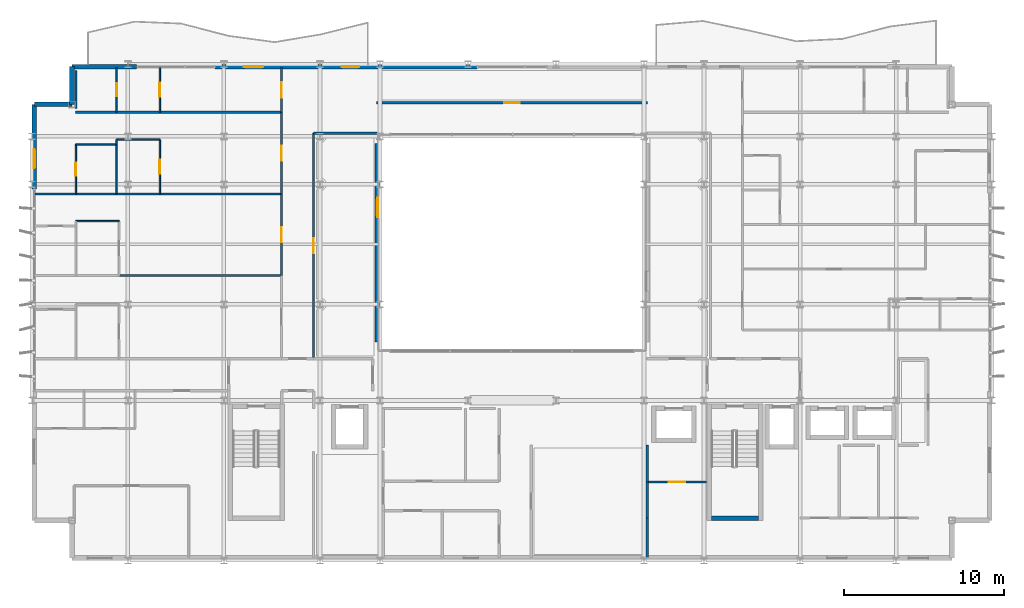
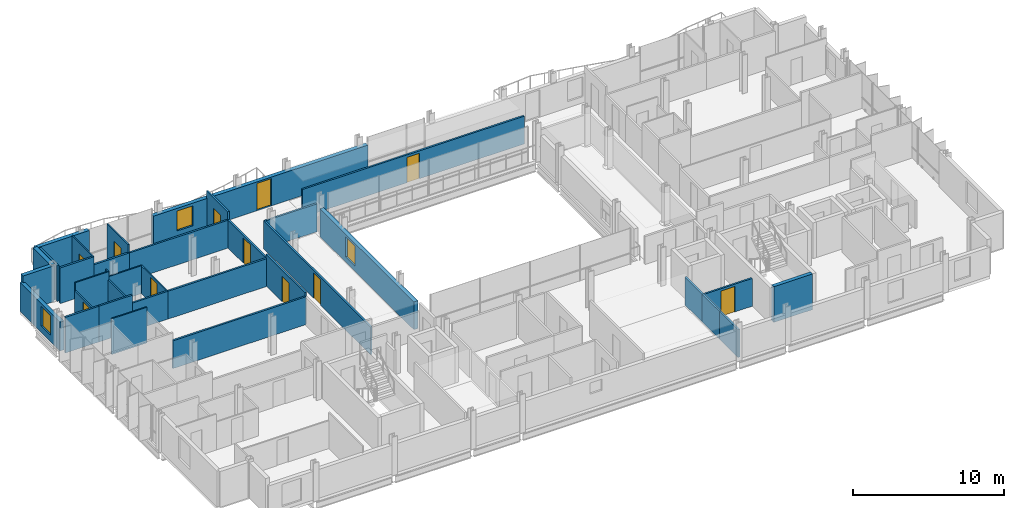
# One storey, part 31 of 40: 35 walls, 11 doors, 3 windows, 14 openings.
"""IFC4 building model written with IfcOpenShell, lengths in metres."""

from ifc_helpers import new_model, si_unit, direction, frame, frame_2d, origin, place, context, subcontext, project, spatial, rectangle, extrude, material, layer, layer_set, type_object, element, fill, save


model = new_model("IFC4")

# Units and contexts
model_context = context("Model", 3, precision=1e-05, world=origin(), true_north=direction((0.0, 1.0)))
body_context = subcontext(model_context, "Body", "Model", "MODEL_VIEW")
ifc_project = project(units=[si_unit("LENGTHUNIT", "METRE"), si_unit("AREAUNIT", "SQUARE_METRE"), si_unit("VOLUMEUNIT", "CUBIC_METRE"), si_unit("PLANEANGLEUNIT", "RADIAN"), si_unit("MASSUNIT", "GRAM", prefix="KILO")], contexts=[model_context])

# Site, building, storey
site_placement = place(None, origin())
site = spatial("IfcSite", under=ifc_project, at=site_placement, CompositionType="ELEMENT")
building_placement = place(site_placement, origin())
building = spatial("IfcBuilding", under=site, at=building_placement, Name="Brevholm Reach", CompositionType="ELEMENT")
storey_placement = place(building_placement, frame((0.0, 0.0, 148.0)))
storey = spatial("IfcBuildingStorey", under=building, at=storey_placement, Name="L44", CompositionType="ELEMENT", Elevation=148.0)

# Walls
ifc_material_1 = material(Name="Concrete C50/60", Category="concrete")
ifc_layer_1 = layer(ifc_material_1, 0.280029296875)
ifc_layer_set_1 = layer_set([ifc_layer_1], Name="Concrete C50/60")
wall_type_1 = type_object("IfcWallType", Name="WAL-COR-280", PredefinedType="SHEAR", material=ifc_layer_set_1)
wall_1_placement = place(storey_placement, frame((42.449951171875, 2.639892578125, 0.0), z_axis=(0.0, 0.0, 1.0), x_axis=(1.0, 0.0, 0.0)))
element("IfcWall", 1, at=wall_1_placement, inside=storey, type_object=wall_type_1, Name="L44 Escape Stair ST-2 Core Wall S", PredefinedType="SHEAR", context=body_context, shape_type="SweptSolid", body=[
    extrude(rectangle(XDim=2.949951171875, YDim=0.280029296875, at=frame_2d((1.47509765625, 0.0))), origin(), (0.0, 0.0, 1.0), 2.8798828125),
])
ifc_material_2 = material(Name="Concrete C40/50", Category="concrete")
ifc_layer_2 = layer(ifc_material_2, 0.300048828125)
ifc_layer_set_2 = layer_set([ifc_layer_2], Name="Concrete C40/50")
wall_type_2 = type_object("IfcWallType", Name="WAL-EXT-300", PredefinedType="STANDARD", material=ifc_layer_set_2)
for number, where, z_axis, x_axis, name in (
    (2, (2.5, 30.85009765625, 0.0), (0.0, 0.0, 1.0), (0.0, -1.0, 0.0), "L44 Facade Wall WAL-L44-CNW1"),
    (3, (2.5, 28.5, 0.0), (0.0, 0.0, 1.0), (-1.0, 0.0, 0.0), "L44 Facade Wall WAL-L44-CNW2"),
):
    element("IfcWall", number, at=place(storey_placement, frame(where, z_axis=z_axis, x_axis=x_axis)), inside=storey, type_object=wall_type_2, Name=name, PredefinedType="STANDARD", context=body_context, shape_type="SweptSolid", body=[
        extrude(rectangle(XDim=2.35009765625, YDim=0.300048828125, at=frame_2d((1.175048828125, 0.0))), origin(), (0.0, 0.0, 1.0), 2.8798828125),
    ])

# Wall, opening, window
wall_2_placement = place(storey_placement, frame((0.14990234375, 28.5, 0.0), z_axis=(0.0, 0.0, 1.0), x_axis=(0.0, -1.0, 0.0)))
wall_2 = element("IfcWall", 4, at=wall_2_placement, inside=storey, type_object=wall_type_2, Name="L44 Facade Wall WAL-L44-W-N", PredefinedType="STANDARD", context=body_context, shape_type="SweptSolid", body=[
    extrude(rectangle(XDim=5.280029296875, YDim=0.300048828125, at=frame_2d((2.64013671875, 0.0))), origin(), (0.0, 0.0, 1.0), 2.322021484375),
])
opening_1_placement = place(wall_2_placement, frame((2.800048828125, 0.0, 0.501953125)))
opening_1 = element("IfcOpeningElement", 5, at=opening_1_placement, cuts=wall_2, Name="Opening WN-08", PredefinedType="OPENING", context=body_context, shape_type="SweptSolid", body=[
    extrude(rectangle(XDim=1.199951171875, YDim=1.60009765625, at=frame_2d((0.60009765625, 0.800048828125))), frame((0.0, 0.159912109375, 0.0), z_axis=(0.0, -1.0, 0.0), x_axis=(1.0, 0.0, 0.0)), (0.0, 0.0, 1.0), 0.320068359375),
])
ifc_material_3 = material(Name="Dark Anodised Aluminium and Solar-Control IGU Glass", Category="aluminium")
window_type = type_object("IfcWindowType", Name="WIN-RES-1200", PartitioningType="SINGLE_PANEL", PredefinedType="WINDOW", material=ifc_material_3)
window_1_placement = place(opening_1_placement, origin())
window_1 = element("IfcWindow", 6, at=window_1_placement, inside=storey, type_object=window_type, Name="L44 Window WIN-L44-WN-1", OverallHeight=1.60009765625, OverallWidth=1.199951171875, PartitioningType="SINGLE_PANEL", PredefinedType="WINDOW", context=body_context, shape_type="SweptSolid", body=[
    extrude(rectangle(XDim=1.199951171875, YDim=1.60009765625, at=frame_2d((0.60009765625, 0.800048828125))), frame((0.0, 0.030029296875, 0.0), z_axis=(0.0, -1.0, 0.0), x_axis=(1.0, 0.0, 0.0)), (0.0, 0.0, 1.0), 0.06005859375),
])
fill(opening_1, window_1)

# Wall
wall_3_placement = place(storey_placement, frame((2.5, 30.85009765625, 0.0), z_axis=(0.0, 0.0, 1.0), x_axis=(1.0, 0.0, 0.0)))
element("IfcWall", 7, at=wall_3_placement, inside=storey, type_object=wall_type_2, Name="L44 Facade Wall WAL-L44-NP-W0", PredefinedType="STANDARD", context=body_context, shape_type="SweptSolid", body=[
    extrude(rectangle(XDim=4.050048828125, YDim=0.300048828125, at=frame_2d((2.02490234375, 0.0))), origin(), (0.0, 0.0, 1.0), 2.8798828125),
])

# Wall, openings, door, window
wall_4_placement = place(storey_placement, frame((11.449951171875, 30.85009765625, 0.0), z_axis=(0.0, 0.0, 1.0), x_axis=(1.0, 0.0, 0.0)))
wall_4 = element("IfcWall", 8, at=wall_4_placement, inside=storey, type_object=wall_type_2, Name="L44 Facade Wall WAL-L44-NP-WL", PredefinedType="STANDARD", context=body_context, shape_type="SweptSolid", body=[
    extrude(rectangle(XDim=16.35009765625, YDim=0.300048828125, at=frame_2d((8.175048828125, 0.0))), origin(), (0.0, 0.0, 1.0), 2.322021484375),
])
opening_2_placement = place(wall_4_placement, frame((7.89794921875, 0.0, 0.0)))
opening_2 = element("IfcOpeningElement", 9, at=opening_2_placement, cuts=wall_4, Name="Opening BD-01", PredefinedType="OPENING", context=body_context, shape_type="SweptSolid", body=[
    extrude(rectangle(XDim=1.10009765625, YDim=2.199951171875, at=frame_2d((0.550048828125, 1.10009765625))), frame((0.0, 0.159912109375, 0.0), z_axis=(0.0, -1.0, 0.0), x_axis=(1.0, 0.0, 0.0)), (0.0, 0.0, 1.0), 0.320068359375),
])
opening_3_placement = place(wall_4_placement, frame((1.800048828125, 0.0, 0.501953125)))
opening_3 = element("IfcOpeningElement", 10, at=opening_3_placement, cuts=wall_4, Name="Opening WN-08", PredefinedType="OPENING", context=body_context, shape_type="SweptSolid", body=[
    extrude(rectangle(XDim=1.199951171875, YDim=1.60009765625, at=frame_2d((0.60009765625, 0.800048828125))), frame((0.0, 0.159912109375, 0.0), z_axis=(0.0, -1.0, 0.0), x_axis=(1.0, 0.0, 0.0)), (0.0, 0.0, 1.0), 0.320068359375),
])
ifc_material_4 = material(Name="Dark Anodised Aluminium and Triple-Glazed Glass", Category="aluminium")
door_type_1 = type_object("IfcDoorType", Name="DOR-BALC-1100", OperationType="NOTDEFINED", PredefinedType="DOOR", material=ifc_material_4)
door_1_placement = place(opening_2_placement, origin())
door_1 = element("IfcDoor", 11, at=door_1_placement, inside=storey, type_object=door_type_1, Name="L44 Exterior Door DOR-L44-BL-NW", OperationType="SINGLE_SWING_LEFT", OverallHeight=2.199951171875, OverallWidth=1.10009765625, PredefinedType="DOOR", context=body_context, shape_type="SweptSolid", body=[
    extrude(rectangle(XDim=1.10009765625, YDim=2.199951171875, at=frame_2d((0.550048828125, 1.10009765625))), frame((0.0, 0.02490234375, 0.0), z_axis=(0.0, -1.0, 0.0), x_axis=(1.0, 0.0, 0.0)), (0.0, 0.0, 1.0), 0.050048828125),
])
fill(opening_2, door_1)
window_2_placement = place(opening_3_placement, origin())
window_2 = element("IfcWindow", 12, at=window_2_placement, inside=storey, type_object=window_type, Name="L44 Window WIN-L44-NP-WL1", OverallHeight=1.60009765625, OverallWidth=1.199951171875, PartitioningType="SINGLE_PANEL", PredefinedType="WINDOW", context=body_context, shape_type="SweptSolid", body=[
    extrude(rectangle(XDim=1.199951171875, YDim=1.60009765625, at=frame_2d((0.60009765625, 0.800048828125))), frame((0.0, 0.030029296875, 0.0), z_axis=(0.0, -1.0, 0.0), x_axis=(1.0, 0.0, 0.0)), (0.0, 0.0, 1.0), 0.06005859375),
])
fill(opening_3, window_2)

# Wall, opening, window
wall_5_placement = place(storey_placement, frame((21.60009765625, 26.050048828125, 0.0), z_axis=(0.0, 0.0, 1.0), x_axis=(0.0, -1.0, 0.0)))
wall_5 = element("IfcWall", 13, at=wall_5_placement, inside=storey, type_object=wall_type_2, Name="L44 Facade Wall WAL-L44-AT-W", PredefinedType="STANDARD", context=body_context, shape_type="SweptSolid", body=[
    extrude(rectangle(XDim=12.400146484375, YDim=0.300048828125, at=frame_2d((6.2001953125, 0.0))), origin(), (0.0, 0.0, 1.0), 2.242919921875),
])
opening_4_placement = place(wall_5_placement, frame((3.39990234375, 0.0, 0.423095703125)))
opening_4 = element("IfcOpeningElement", 14, at=opening_4_placement, cuts=wall_5, Name="Opening WN-08", PredefinedType="OPENING", context=body_context, shape_type="SweptSolid", body=[
    extrude(rectangle(XDim=1.199951171875, YDim=1.60009765625, at=frame_2d((0.60009765625, 0.800048828125))), frame((0.0, 0.159912109375, 0.0), z_axis=(0.0, -1.0, 0.0), x_axis=(1.0, 0.0, 0.0)), (0.0, 0.0, 1.0), 0.320068359375),
])
window_3_placement = place(opening_4_placement, origin())
window_3 = element("IfcWindow", 15, at=window_3_placement, inside=storey, type_object=window_type, Name="L44 Window WIN-L44-AT-W1", OverallHeight=1.60009765625, OverallWidth=1.199951171875, PartitioningType="SINGLE_PANEL", PredefinedType="WINDOW", context=body_context, shape_type="SweptSolid", body=[
    extrude(rectangle(XDim=1.199951171875, YDim=1.60009765625, at=frame_2d((0.60009765625, 0.800048828125))), frame((0.0, 0.030029296875, 0.0), z_axis=(0.0, -1.0, 0.0), x_axis=(1.0, 0.0, 0.0)), (0.0, 0.0, 1.0), 0.06005859375),
])
fill(opening_4, window_3)

# Walls
ifc_material_5 = material(Name="Moisture-Resistant Acoustic Gypsum Stud Partition 100 mm", Category="gypsum")
ifc_layer_3 = layer(ifc_material_5, 0.10009765625)
ifc_layer_set_3 = layer_set([ifc_layer_3], Name="Moisture-Resistant Acoustic Gypsum Stud Partition 100 mm")
wall_type_3 = type_object("IfcWallType", Name="WAL-PRT-100", PredefinedType="PARTITIONING", material=ifc_layer_set_3)
wall_6_placement = place(storey_placement, frame((2.75, 21.199951171875, 0.0), z_axis=(0.0, 0.0, 1.0), x_axis=(1.0, 0.0, 0.0)))
element("IfcWall", 16, at=wall_6_placement, inside=storey, type_object=wall_type_3, Name="L44 Internal Partition 083", PredefinedType="PARTITIONING", context=body_context, shape_type="SweptSolid", body=[
    extrude(rectangle(XDim=2.699951171875, YDim=0.10009765625, at=frame_2d((1.35009765625, 0.0))), origin(), (0.0, 0.0, 1.0), 2.8798828125),
])
wall_7_placement = place(storey_placement, frame((5.300048828125, 22.904052734375, 0.0), z_axis=(0.0, 0.0, 1.0), x_axis=(0.0, 1.0, 0.0)))
element("IfcWall", 17, at=wall_7_placement, inside=storey, type_object=wall_type_3, Name="L44 Internal Partition 089", PredefinedType="PARTITIONING", context=body_context, shape_type="SweptSolid", body=[
    extrude(rectangle(XDim=3.095947265625, YDim=0.10009765625, at=frame_2d((1.5478515625, 0.0))), origin(), (0.0, 0.0, 1.0), 2.242919921875),
])
wall_8_placement = place(storey_placement, frame((2.75, 26.0, 0.0), z_axis=(0.0, 0.0, 1.0), x_axis=(1.0, 0.0, 0.0)))
element("IfcWall", 18, at=wall_8_placement, inside=storey, type_object=wall_type_3, Name="L44 Internal Partition 090", PredefinedType="PARTITIONING", context=body_context, shape_type="SweptSolid", body=[
    extrude(rectangle(XDim=2.550048828125, YDim=0.10009765625, at=frame_2d((1.27490234375, 0.0))), origin(), (0.0, 0.0, 1.0), 2.8798828125),
])

# Wall, opening, door
wall_9_placement = place(storey_placement, frame((2.75, 22.904052734375, 0.0), z_axis=(0.0, 0.0, 1.0), x_axis=(0.0, 1.0, 0.0)))
wall_9 = element("IfcWall", 19, at=wall_9_placement, inside=storey, type_object=wall_type_3, Name="L44 Internal Partition 091", PredefinedType="PARTITIONING", context=body_context, shape_type="SweptSolid", body=[
    extrude(rectangle(XDim=3.095947265625, YDim=0.10009765625, at=frame_2d((1.5478515625, 0.0))), origin(), (0.0, 0.0, 1.0), 2.242919921875),
])
opening_5_placement = place(wall_9_placement, frame((1.137939453125, 0.0, 0.0)))
opening_5 = element("IfcOpeningElement", 20, at=opening_5_placement, cuts=wall_9, Name="Opening ID-03", PredefinedType="OPENING", context=body_context, shape_type="SweptSolid", body=[
    extrude(rectangle(XDim=0.820068359375, YDim=2.02001953125, at=frame_2d((0.41015625, 1.010009765625))), frame((0.0, 0.06005859375, 0.0), z_axis=(0.0, -1.0, 0.0), x_axis=(1.0, 0.0, 0.0)), (0.0, 0.0, 1.0), 0.1201171875),
])
ifc_material_6 = material(Name="Moisture-Resistant Painted Timber Internal Bathroom Door", Category="wood")
door_type_2 = type_object("IfcDoorType", Name="DOR-BATH-820", OperationType="NOTDEFINED", PredefinedType="DOOR", material=ifc_material_6)
door_2_placement = place(opening_5_placement, origin())
door_2 = element("IfcDoor", 21, at=door_2_placement, inside=storey, type_object=door_type_2, Name="L44 Internal Door 038", OperationType="SINGLE_SWING_LEFT", OverallHeight=2.02001953125, OverallWidth=0.820068359375, PredefinedType="DOOR", context=body_context, shape_type="SweptSolid", body=[
    extrude(rectangle(XDim=0.820068359375, YDim=2.02001953125, at=frame_2d((0.41015625, 1.010009765625))), frame((0.0, 0.02490234375, 0.0), z_axis=(0.0, -1.0, 0.0), x_axis=(1.0, 0.0, 0.0)), (0.0, 0.0, 1.0), 0.050048828125),
])
fill(opening_5, door_2)

wall_10_placement = place(storey_placement, frame((8.0, 22.904052734375, 0.0), z_axis=(0.0, 0.0, 1.0), x_axis=(0.0, 1.0, 0.0)))
wall_10 = element("IfcWall", 22, at=wall_10_placement, inside=storey, type_object=wall_type_3, Name="L44 Internal Partition 092", PredefinedType="PARTITIONING", context=body_context, shape_type="SweptSolid", body=[
    extrude(rectangle(XDim=3.39599609375, YDim=0.10009765625, at=frame_2d((1.697998046875, 0.0))), origin(), (0.0, 0.0, 1.0), 2.242919921875),
])
opening_6_placement = place(wall_10_placement, frame((1.258056640625, 0.0, 0.0)))
opening_6 = element("IfcOpeningElement", 23, at=opening_6_placement, cuts=wall_10, Name="Opening ID-01", PredefinedType="OPENING", context=body_context, shape_type="SweptSolid", body=[
    extrude(rectangle(XDim=0.8798828125, YDim=2.0400390625, at=frame_2d((0.43994140625, 1.02001953125))), frame((0.0, 0.06005859375, 0.0), z_axis=(0.0, -1.0, 0.0), x_axis=(1.0, 0.0, 0.0)), (0.0, 0.0, 1.0), 0.1201171875),
])
ifc_material_7 = material(Name="Lacquered Ash Solid-Core Acoustic Internal Door", Category="timber")
door_type_3 = type_object("IfcDoorType", Name="DOR-INT-880", OperationType="NOTDEFINED", PredefinedType="DOOR", material=ifc_material_7)
door_3_placement = place(opening_6_placement, origin())
door_3 = element("IfcDoor", 24, at=door_3_placement, inside=storey, type_object=door_type_3, Name="L44 Internal Door 039", OperationType="SINGLE_SWING_RIGHT", OverallHeight=2.0400390625, OverallWidth=0.8798828125, PredefinedType="DOOR", context=body_context, shape_type="SweptSolid", body=[
    extrude(rectangle(XDim=0.8798828125, YDim=2.0400390625, at=frame_2d((0.43994140625, 1.02001953125))), frame((0.0, 0.02490234375, 0.0), z_axis=(0.0, -1.0, 0.0), x_axis=(1.0, 0.0, 0.0)), (0.0, 0.0, 1.0), 0.050048828125),
])
fill(opening_6, door_3)

# Walls
wall_11_placement = place(storey_placement, frame((5.300048828125, 26.300048828125, 0.0), z_axis=(0.0, 0.0, 1.0), x_axis=(1.0, 0.0, 0.0)))
element("IfcWall", 25, at=wall_11_placement, inside=storey, type_object=wall_type_3, Name="L44 Internal Partition 093", PredefinedType="PARTITIONING", context=body_context, shape_type="SweptSolid", body=[
    extrude(rectangle(XDim=2.699951171875, YDim=0.10009765625, at=frame_2d((1.35009765625, 0.0))), origin(), (0.0, 0.0, 1.0), 2.242919921875),
])
wall_12_placement = place(storey_placement, frame((5.300048828125, 26.00390625, 0.0), z_axis=(0.0, 0.0, 1.0), x_axis=(0.0, 1.0, 0.0)))
element("IfcWall", 26, at=wall_12_placement, inside=storey, type_object=wall_type_3, Name="L44 Internal Partition 094", PredefinedType="PARTITIONING", context=body_context, shape_type="SweptSolid", body=[
    extrude(rectangle(XDim=0.296142578125, YDim=0.10009765625, at=frame_2d((0.14794921875, 0.0))), origin(), (0.0, 0.0, 1.0), 2.8798828125),
])

# Wall, opening, door
wall_13_placement = place(storey_placement, frame((5.300048828125, 28.00390625, 0.0), z_axis=(0.0, 0.0, 1.0), x_axis=(0.0, 1.0, 0.0)))
wall_13 = element("IfcWall", 27, at=wall_13_placement, inside=storey, type_object=wall_type_3, Name="L44 Internal Partition 117", PredefinedType="PARTITIONING", context=body_context, shape_type="SweptSolid", body=[
    extrude(rectangle(XDim=2.796142578125, YDim=0.10009765625, at=frame_2d((1.39794921875, 0.0))), origin(), (0.0, 0.0, 1.0), 2.8798828125),
])
opening_7_placement = place(wall_13_placement, frame((0.988037109375, 0.0, 0.0)))
opening_7 = element("IfcOpeningElement", 28, at=opening_7_placement, cuts=wall_13, Name="Opening ID-03", PredefinedType="OPENING", context=body_context, shape_type="SweptSolid", body=[
    extrude(rectangle(XDim=0.820068359375, YDim=2.02001953125, at=frame_2d((0.41015625, 1.010009765625))), frame((0.0, 0.06005859375, 0.0), z_axis=(0.0, -1.0, 0.0), x_axis=(1.0, 0.0, 0.0)), (0.0, 0.0, 1.0), 0.1201171875),
])
door_4_placement = place(opening_7_placement, origin())
door_4 = element("IfcDoor", 29, at=door_4_placement, inside=storey, type_object=door_type_2, Name="L44 Access Door 048", OperationType="SINGLE_SWING_LEFT", OverallHeight=2.02001953125, OverallWidth=0.820068359375, PredefinedType="DOOR", context=body_context, shape_type="SweptSolid", body=[
    extrude(rectangle(XDim=0.820068359375, YDim=2.02001953125, at=frame_2d((0.41015625, 1.010009765625))), frame((0.0, 0.02490234375, 0.0), z_axis=(0.0, -1.0, 0.0), x_axis=(1.0, 0.0, 0.0)), (0.0, 0.0, 1.0), 0.050048828125),
])
fill(opening_7, door_4)

wall_14_placement = place(storey_placement, frame((8.0, 28.00390625, 0.0), z_axis=(0.0, 0.0, 1.0), x_axis=(0.0, 1.0, 0.0)))
wall_14 = element("IfcWall", 30, at=wall_14_placement, inside=storey, type_object=wall_type_3, Name="L44 Internal Partition 118", PredefinedType="PARTITIONING", context=body_context, shape_type="SweptSolid", body=[
    extrude(rectangle(XDim=2.796142578125, YDim=0.10009765625, at=frame_2d((1.39794921875, 0.0))), origin(), (0.0, 0.0, 1.0), 2.8798828125),
])
opening_8_placement = place(wall_14_placement, frame((0.9580078125, 0.0, 0.0)))
opening_8 = element("IfcOpeningElement", 31, at=opening_8_placement, cuts=wall_14, Name="Opening ID-01", PredefinedType="OPENING", context=body_context, shape_type="SweptSolid", body=[
    extrude(rectangle(XDim=0.8798828125, YDim=2.0400390625, at=frame_2d((0.43994140625, 1.02001953125))), frame((0.0, 0.06005859375, 0.0), z_axis=(0.0, -1.0, 0.0), x_axis=(1.0, 0.0, 0.0)), (0.0, 0.0, 1.0), 0.1201171875),
])
door_5_placement = place(opening_8_placement, origin())
door_5 = element("IfcDoor", 32, at=door_5_placement, inside=storey, type_object=door_type_3, Name="L44 Internal Door 046", OperationType="SINGLE_SWING_LEFT", OverallHeight=2.0400390625, OverallWidth=0.8798828125, PredefinedType="DOOR", context=body_context, shape_type="SweptSolid", body=[
    extrude(rectangle(XDim=0.8798828125, YDim=2.0400390625, at=frame_2d((0.43994140625, 1.02001953125))), frame((0.0, 0.02490234375, 0.0), z_axis=(0.0, -1.0, 0.0), x_axis=(1.0, 0.0, 0.0)), (0.0, 0.0, 1.0), 0.050048828125),
])
fill(opening_8, door_5)

# Walls
ifc_material_8 = material(Name="Twin-Stud Acoustic Fire-Rated Gypsum Partition 140 mm", Category="gypsum")
ifc_layer_4 = layer(ifc_material_8, 0.139892578125)
ifc_layer_set_4 = layer_set([ifc_layer_4], Name="Twin-Stud Acoustic Fire-Rated Gypsum Partition 140 mm")
wall_type_4 = type_object("IfcWallType", Name="WAL-PRT-140", PredefinedType="PARTITIONING", material=ifc_layer_set_4)
wall_15_placement = place(storey_placement, frame((38.449951171875, 0.179931640625, 0.0), z_axis=(0.0, 0.0, 1.0), x_axis=(0.0, 1.0, 0.0)))
element("IfcWall", 33, at=wall_15_placement, inside=storey, type_object=wall_type_4, Name="L44 Internal Partition 013", PredefinedType="PARTITIONING", context=body_context, shape_type="SweptSolid", body=[
    extrude(rectangle(XDim=2.4814453125, YDim=0.139892578125, at=frame_2d((1.24072265625, 0.0))), origin(), (0.0, 0.0, 1.0), 2.242919921875),
])
wall_16_placement = place(storey_placement, frame((38.449951171875, 2.642578125, 0.0), z_axis=(0.0, 0.0, 1.0), x_axis=(0.0, 1.0, 0.0)))
element("IfcWall", 34, at=wall_16_placement, inside=storey, type_object=wall_type_4, Name="L44 Internal Partition 014", PredefinedType="PARTITIONING", context=body_context, shape_type="SweptSolid", body=[
    extrude(rectangle(XDim=2.268798828125, YDim=0.139892578125, at=frame_2d((1.13427734375, 0.0))), origin(), (0.0, 0.0, 1.0), 2.242919921875),
])
wall_17_placement = place(storey_placement, frame((38.449951171875, 4.892578125, 0.0), z_axis=(0.0, 0.0, 1.0), x_axis=(0.0, 1.0, 0.0)))
element("IfcWall", 35, at=wall_17_placement, inside=storey, type_object=wall_type_4, Name="L44 Internal Partition 015", PredefinedType="PARTITIONING", context=body_context, shape_type="SweptSolid", body=[
    extrude(rectangle(XDim=2.307373046875, YDim=0.139892578125, at=frame_2d((1.15380859375, 0.0))), origin(), (0.0, 0.0, 1.0), 2.242919921875),
])

# Wall, opening, door
wall_18_placement = place(storey_placement, frame((38.4541015625, 4.89990234375, 0.0), z_axis=(0.0, 0.0, 1.0), x_axis=(1.0, 0.0, 0.0)))
wall_18 = element("IfcWall", 36, at=wall_18_placement, inside=storey, type_object=wall_type_4, Name="L44 Internal Partition 024", PredefinedType="PARTITIONING", context=body_context, shape_type="SweptSolid", body=[
    extrude(rectangle(XDim=3.705810546875, YDim=0.139892578125, at=frame_2d((1.85302734375, 0.0))), origin(), (0.0, 0.0, 1.0), 2.242919921875),
])
opening_9_placement = place(wall_18_placement, frame((1.327880859375, 0.0, 0.0)))
opening_9 = element("IfcOpeningElement", 37, at=opening_9_placement, cuts=wall_18, Name="Opening FD-01", PredefinedType="OPENING", context=body_context, shape_type="SweptSolid", body=[
    extrude(rectangle(XDim=1.050048828125, YDim=2.06005859375, at=frame_2d((0.52490234375, 1.030029296875))), frame((0.0, 0.079833984375, 0.0), z_axis=(0.0, -1.0, 0.0), x_axis=(1.0, 0.0, 0.0)), (0.0, 0.0, 1.0), 0.159912109375),
])
ifc_material_9 = material(Name="Hardwood-Lipped Steel-Core Fire and Smoke Door", Category="steel")
door_type_4 = type_object("IfcDoorType", Name="DOR-INT-FD60S", OperationType="NOTDEFINED", PredefinedType="DOOR", material=ifc_material_9)
door_6_placement = place(opening_9_placement, origin())
door_6 = element("IfcDoor", 38, at=door_6_placement, inside=storey, type_object=door_type_4, Name="L44 Internal Door 012", OperationType="SINGLE_SWING_LEFT", OverallHeight=2.06005859375, OverallWidth=1.050048828125, PredefinedType="DOOR", context=body_context, shape_type="SweptSolid", body=[
    extrude(rectangle(XDim=1.050048828125, YDim=2.06005859375, at=frame_2d((0.52490234375, 1.030029296875))), frame((0.0, 0.02490234375, 0.0), z_axis=(0.0, -1.0, 0.0), x_axis=(1.0, 0.0, 0.0)), (0.0, 0.0, 1.0), 0.050048828125),
])
fill(opening_9, door_6)

wall_19_placement = place(storey_placement, frame((15.60009765625, 17.792724609375, 0.0), z_axis=(0.0, 0.0, 1.0), x_axis=(0.0, 1.0, 0.0)))
wall_19 = element("IfcWall", 39, at=wall_19_placement, inside=storey, type_object=wall_type_4, Name="L44 Internal Partition 042", PredefinedType="PARTITIONING", context=body_context, shape_type="SweptSolid", body=[
    extrude(rectangle(XDim=5.11865234375, YDim=0.139892578125, at=frame_2d((2.559326171875, 0.0))), origin(), (0.0, 0.0, 1.0), 2.551513671875),
])
opening_10_placement = place(wall_19_placement, frame((2.084228515625, 0.0, 0.0)))
opening_10 = element("IfcOpeningElement", 40, at=opening_10_placement, cuts=wall_19, Name="Opening ID-30", PredefinedType="OPENING", context=body_context, shape_type="SweptSolid", body=[
    extrude(rectangle(XDim=0.949951171875, YDim=2.050048828125, at=frame_2d((0.47509765625, 1.02490234375))), frame((0.0, 0.079833984375, 0.0), z_axis=(0.0, -1.0, 0.0), x_axis=(1.0, 0.0, 0.0)), (0.0, 0.0, 1.0), 0.159912109375),
])
ifc_material_10 = material(Name="European Oak Veneered Solid-Core Fire Entrance Door", Category="timber")
door_type_5 = type_object("IfcDoorType", Name="DOR-FLT-FD30S", OperationType="NOTDEFINED", PredefinedType="DOOR", material=ifc_material_10)
door_7_placement = place(opening_10_placement, origin())
door_7 = element("IfcDoor", 41, at=door_7_placement, inside=storey, type_object=door_type_5, Name="L44 Internal Door 022", OperationType="SINGLE_SWING_LEFT", OverallHeight=2.050048828125, OverallWidth=0.949951171875, PredefinedType="DOOR", context=body_context, shape_type="SweptSolid", body=[
    extrude(rectangle(XDim=0.949951171875, YDim=2.050048828125, at=frame_2d((0.47509765625, 1.02490234375))), frame((0.0, 0.02490234375, 0.0), z_axis=(0.0, -1.0, 0.0), x_axis=(1.0, 0.0, 0.0)), (0.0, 0.0, 1.0), 0.050048828125),
])
fill(opening_10, door_7)

wall_20_placement = place(storey_placement, frame((15.60009765625, 22.892578125, 0.0), z_axis=(0.0, 0.0, 1.0), x_axis=(0.0, 1.0, 0.0)))
wall_20 = element("IfcWall", 42, at=wall_20_placement, inside=storey, type_object=wall_type_4, Name="L44 Internal Partition 043", PredefinedType="PARTITIONING", context=body_context, shape_type="SweptSolid", body=[
    extrude(rectangle(XDim=5.11865234375, YDim=0.139892578125, at=frame_2d((2.559326171875, 0.0))), origin(), (0.0, 0.0, 1.0), 2.242919921875),
])
opening_11_placement = place(wall_20_placement, frame((2.084228515625, 0.0, 0.0)))
opening_11 = element("IfcOpeningElement", 43, at=opening_11_placement, cuts=wall_20, Name="Opening ID-30", PredefinedType="OPENING", context=body_context, shape_type="SweptSolid", body=[
    extrude(rectangle(XDim=0.949951171875, YDim=2.050048828125, at=frame_2d((0.47509765625, 1.02490234375))), frame((0.0, 0.079833984375, 0.0), z_axis=(0.0, -1.0, 0.0), x_axis=(1.0, 0.0, 0.0)), (0.0, 0.0, 1.0), 0.159912109375),
])
door_8_placement = place(opening_11_placement, origin())
door_8 = element("IfcDoor", 44, at=door_8_placement, inside=storey, type_object=door_type_5, Name="L44 Internal Door 023", OperationType="SINGLE_SWING_RIGHT", OverallHeight=2.050048828125, OverallWidth=0.949951171875, PredefinedType="DOOR", context=body_context, shape_type="SweptSolid", body=[
    extrude(rectangle(XDim=0.949951171875, YDim=2.050048828125, at=frame_2d((0.47509765625, 1.02490234375))), frame((0.0, 0.02490234375, 0.0), z_axis=(0.0, -1.0, 0.0), x_axis=(1.0, 0.0, 0.0)), (0.0, 0.0, 1.0), 0.050048828125),
])
fill(opening_11, door_8)

wall_21_placement = place(storey_placement, frame((17.60009765625, 12.60400390625, 0.0), z_axis=(0.0, 0.0, 1.0), x_axis=(0.0, 1.0, 0.0)))
wall_21 = element("IfcWall", 45, at=wall_21_placement, inside=storey, type_object=wall_type_4, Name="L44 Internal Partition 044", PredefinedType="PARTITIONING", context=body_context, shape_type="SweptSolid", body=[
    extrude(rectangle(XDim=14.103271484375, YDim=0.139892578125, at=frame_2d((7.0517578125, 0.0))), origin(), (0.0, 0.0, 1.0), 2.242919921875),
])
opening_12_placement = place(wall_21_placement, frame((6.57666015625, 0.0, 0.0)))
opening_12 = element("IfcOpeningElement", 46, at=opening_12_placement, cuts=wall_21, Name="Opening ID-30", PredefinedType="OPENING", context=body_context, shape_type="SweptSolid", body=[
    extrude(rectangle(XDim=0.949951171875, YDim=2.050048828125, at=frame_2d((0.47509765625, 1.02490234375))), frame((0.0, 0.079833984375, 0.0), z_axis=(0.0, -1.0, 0.0), x_axis=(1.0, 0.0, 0.0)), (0.0, 0.0, 1.0), 0.159912109375),
])
door_9_placement = place(opening_12_placement, origin())
door_9 = element("IfcDoor", 47, at=door_9_placement, inside=storey, type_object=door_type_5, Name="L44 Internal Door 024", OperationType="SINGLE_SWING_LEFT", OverallHeight=2.050048828125, OverallWidth=0.949951171875, PredefinedType="DOOR", context=body_context, shape_type="SweptSolid", body=[
    extrude(rectangle(XDim=0.949951171875, YDim=2.050048828125, at=frame_2d((0.47509765625, 1.02490234375))), frame((0.0, 0.02490234375, 0.0), z_axis=(0.0, -1.0, 0.0), x_axis=(1.0, 0.0, 0.0)), (0.0, 0.0, 1.0), 0.050048828125),
])
fill(opening_12, door_9)

wall_22_placement = place(storey_placement, frame((15.60009765625, 27.99267578125, 0.0), z_axis=(0.0, 0.0, 1.0), x_axis=(0.0, 1.0, 0.0)))
wall_22 = element("IfcWall", 48, at=wall_22_placement, inside=storey, type_object=wall_type_4, Name="L44 Internal Partition 045", PredefinedType="PARTITIONING", context=body_context, shape_type="SweptSolid", body=[
    extrude(rectangle(XDim=2.807373046875, YDim=0.139892578125, at=frame_2d((1.40380859375, 0.0))), origin(), (0.0, 0.0, 1.0), 2.8798828125),
])
opening_13_placement = place(wall_22_placement, frame((0.9287109375, 0.0, 0.0)))
opening_13 = element("IfcOpeningElement", 49, at=opening_13_placement, cuts=wall_22, Name="Opening ID-30", PredefinedType="OPENING", context=body_context, shape_type="SweptSolid", body=[
    extrude(rectangle(XDim=0.949951171875, YDim=2.050048828125, at=frame_2d((0.47509765625, 1.02490234375))), frame((0.0, 0.079833984375, 0.0), z_axis=(0.0, -1.0, 0.0), x_axis=(1.0, 0.0, 0.0)), (0.0, 0.0, 1.0), 0.159912109375),
])
door_10_placement = place(opening_13_placement, origin())
door_10 = element("IfcDoor", 50, at=door_10_placement, inside=storey, type_object=door_type_5, Name="L44 Internal Door 025", OperationType="SINGLE_SWING_RIGHT", OverallHeight=2.050048828125, OverallWidth=0.949951171875, PredefinedType="DOOR", context=body_context, shape_type="SweptSolid", body=[
    extrude(rectangle(XDim=0.949951171875, YDim=2.050048828125, at=frame_2d((0.47509765625, 1.02490234375))), frame((0.0, 0.02490234375, 0.0), z_axis=(0.0, -1.0, 0.0), x_axis=(1.0, 0.0, 0.0)), (0.0, 0.0, 1.0), 0.050048828125),
])
fill(opening_13, door_10)

# Wall
wall_23_placement = place(storey_placement, frame((17.60400390625, 26.699951171875, 0.0), z_axis=(0.0, 0.0, 1.0), x_axis=(1.0, 0.0, 0.0)))
element("IfcWall", 51, at=wall_23_placement, inside=storey, type_object=wall_type_4, Name="L44 Internal Partition 056", PredefinedType="PARTITIONING", context=body_context, shape_type="SweptSolid", body=[
    extrude(rectangle(XDim=3.957275390625, YDim=0.139892578125, at=frame_2d((1.978515625, 0.0))), origin(), (0.0, 0.0, 1.0), 2.242919921875),
])

# Wall, opening, door
wall_24_placement = place(storey_placement, frame((21.542724609375, 28.60009765625, 0.0), z_axis=(0.0, 0.0, 1.0), x_axis=(1.0, 0.0, 0.0)))
wall_24 = element("IfcWall", 52, at=wall_24_placement, inside=storey, type_object=wall_type_4, Name="L44 Internal Partition 058", PredefinedType="PARTITIONING", context=body_context, shape_type="SweptSolid", body=[
    extrude(rectangle(XDim=16.91455078125, YDim=0.139892578125, at=frame_2d((8.457275390625, 0.0))), origin(), (0.0, 0.0, 1.0), 2.242919921875),
])
opening_14_placement = place(wall_24_placement, frame((7.982421875, 0.0, 0.0)))
opening_14 = element("IfcOpeningElement", 53, at=opening_14_placement, cuts=wall_24, Name="Opening ID-30", PredefinedType="OPENING", context=body_context, shape_type="SweptSolid", body=[
    extrude(rectangle(XDim=0.949951171875, YDim=2.050048828125, at=frame_2d((0.47509765625, 1.02490234375))), frame((0.0, 0.079833984375, 0.0), z_axis=(0.0, -1.0, 0.0), x_axis=(1.0, 0.0, 0.0)), (0.0, 0.0, 1.0), 0.159912109375),
])
door_11_placement = place(opening_14_placement, origin())
door_11 = element("IfcDoor", 54, at=door_11_placement, inside=storey, type_object=door_type_5, Name="L44 Internal Door 029", OperationType="SINGLE_SWING_RIGHT", OverallHeight=2.050048828125, OverallWidth=0.949951171875, PredefinedType="DOOR", context=body_context, shape_type="SweptSolid", body=[
    extrude(rectangle(XDim=0.949951171875, YDim=2.050048828125, at=frame_2d((0.47509765625, 1.02490234375))), frame((0.0, 0.02490234375, 0.0), z_axis=(0.0, -1.0, 0.0), x_axis=(1.0, 0.0, 0.0)), (0.0, 0.0, 1.0), 0.050048828125),
])
fill(opening_14, door_11)

# Walls
wall_25_placement = place(storey_placement, frame((5.442626953125, 17.800048828125, 0.0), z_axis=(0.0, 0.0, 1.0), x_axis=(1.0, 0.0, 0.0)))
element("IfcWall", 55, at=wall_25_placement, inside=storey, type_object=wall_type_4, Name="L44 Internal Partition 079", PredefinedType="PARTITIONING", context=body_context, shape_type="SweptSolid", body=[
    extrude(rectangle(XDim=10.1533203125, YDim=0.139892578125, at=frame_2d((5.07666015625, 0.0))), origin(), (0.0, 0.0, 1.0), 2.242919921875),
])
wall_26_placement = place(storey_placement, frame((2.73876953125, 22.89990234375, 0.0), z_axis=(0.0, 0.0, 1.0), x_axis=(1.0, 0.0, 0.0)))
element("IfcWall", 56, at=wall_26_placement, inside=storey, type_object=wall_type_4, Name="L44 Internal Partition 085", PredefinedType="PARTITIONING", context=body_context, shape_type="SweptSolid", body=[
    extrude(rectangle(XDim=2.572509765625, YDim=0.139892578125, at=frame_2d((1.2861328125, 0.0))), origin(), (0.0, 0.0, 1.0), 2.8798828125),
])
wall_27_placement = place(storey_placement, frame((5.292724609375, 22.89990234375, 0.0), z_axis=(0.0, 0.0, 1.0), x_axis=(1.0, 0.0, 0.0)))
element("IfcWall", 57, at=wall_27_placement, inside=storey, type_object=wall_type_4, Name="L44 Internal Partition 086", PredefinedType="PARTITIONING", context=body_context, shape_type="SweptSolid", body=[
    extrude(rectangle(XDim=2.718505859375, YDim=0.139892578125, at=frame_2d((1.359375, 0.0))), origin(), (0.0, 0.0, 1.0), 2.242919921875),
])
wall_28_placement = place(storey_placement, frame((7.99267578125, 22.89990234375, 0.0), z_axis=(0.0, 0.0, 1.0), x_axis=(1.0, 0.0, 0.0)))
element("IfcWall", 58, at=wall_28_placement, inside=storey, type_object=wall_type_4, Name="L44 Internal Partition 087", PredefinedType="PARTITIONING", context=body_context, shape_type="SweptSolid", body=[
    extrude(rectangle(XDim=7.603271484375, YDim=0.139892578125, at=frame_2d((3.8017578125, 0.0))), origin(), (0.0, 0.0, 1.0), 2.242919921875),
])
wall_29_placement = place(storey_placement, frame((0.199951171875, 22.89990234375, 0.0), z_axis=(0.0, 0.0, 1.0), x_axis=(1.0, 0.0, 0.0)))
element("IfcWall", 59, at=wall_29_placement, inside=storey, type_object=wall_type_4, Name="L44 Internal Partition 088", PredefinedType="PARTITIONING", context=body_context, shape_type="SweptSolid", body=[
    extrude(rectangle(XDim=2.557373046875, YDim=0.139892578125, at=frame_2d((1.27880859375, 0.0))), origin(), (0.0, 0.0, 1.0), 2.8798828125),
])
wall_30_placement = place(storey_placement, frame((2.73876953125, 28.0, 0.0), z_axis=(0.0, 0.0, 1.0), x_axis=(1.0, 0.0, 0.0)))
element("IfcWall", 60, at=wall_30_placement, inside=storey, type_object=wall_type_4, Name="L44 Internal Partition 095", PredefinedType="PARTITIONING", context=body_context, shape_type="SweptSolid", body=[
    extrude(rectangle(XDim=2.572509765625, YDim=0.139892578125, at=frame_2d((1.2861328125, 0.0))), origin(), (0.0, 0.0, 1.0), 2.8798828125),
])
wall_31_placement = place(storey_placement, frame((5.292724609375, 28.0, 0.0), z_axis=(0.0, 0.0, 1.0), x_axis=(1.0, 0.0, 0.0)))
element("IfcWall", 61, at=wall_31_placement, inside=storey, type_object=wall_type_4, Name="L44 Internal Partition 096", PredefinedType="PARTITIONING", context=body_context, shape_type="SweptSolid", body=[
    extrude(rectangle(XDim=2.718505859375, YDim=0.139892578125, at=frame_2d((1.359375, 0.0))), origin(), (0.0, 0.0, 1.0), 2.242919921875),
])
wall_32_placement = place(storey_placement, frame((7.99267578125, 28.0, 0.0), z_axis=(0.0, 0.0, 1.0), x_axis=(1.0, 0.0, 0.0)))
element("IfcWall", 62, at=wall_32_placement, inside=storey, type_object=wall_type_4, Name="L44 Internal Partition 097", PredefinedType="PARTITIONING", context=body_context, shape_type="SweptSolid", body=[
    extrude(rectangle(XDim=7.603271484375, YDim=0.139892578125, at=frame_2d((3.8017578125, 0.0))), origin(), (0.0, 0.0, 1.0), 2.242919921875),
])
wall_33_placement = place(storey_placement, frame((2.75, 28.239990234375, 0.0), z_axis=(0.0, 0.0, 1.0), x_axis=(0.0, 1.0, 0.0)))
element("IfcWall", 63, at=wall_33_placement, inside=storey, type_object=wall_type_4, Name="L44 Internal Partition 125", PredefinedType="PARTITIONING", context=body_context, shape_type="SweptSolid", body=[
    extrude(rectangle(XDim=2.3701171875, YDim=0.139892578125, at=frame_2d((1.18505859375, 0.0))), origin(), (0.0, 0.0, 1.0), 2.8798828125),
])

save(model, "model.ifc")
